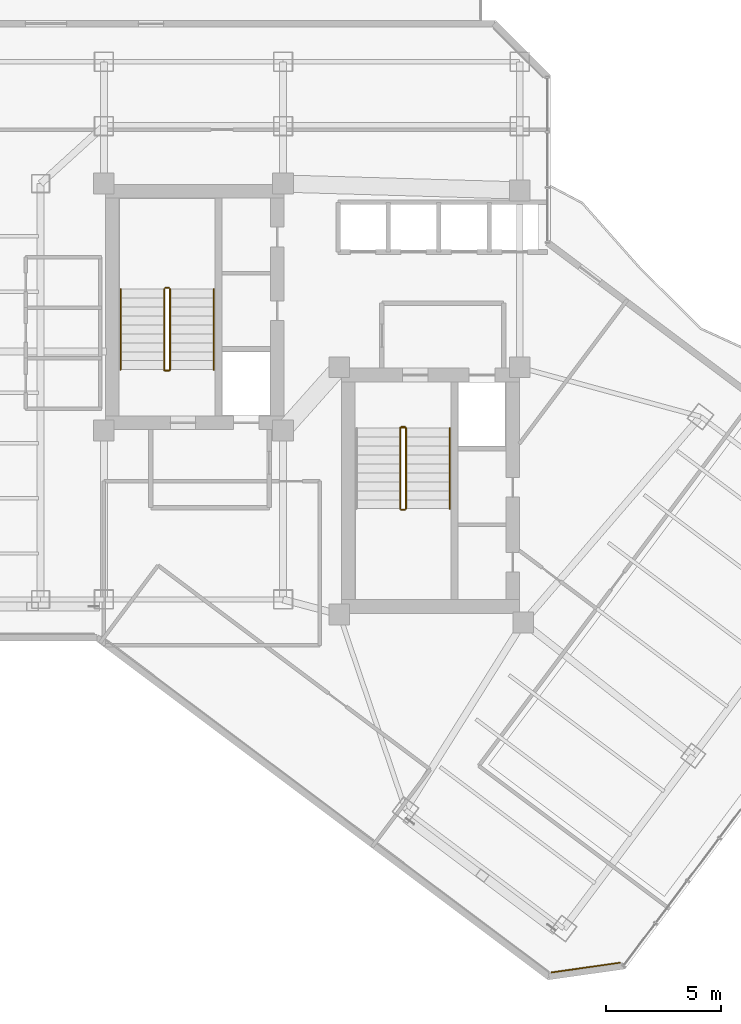
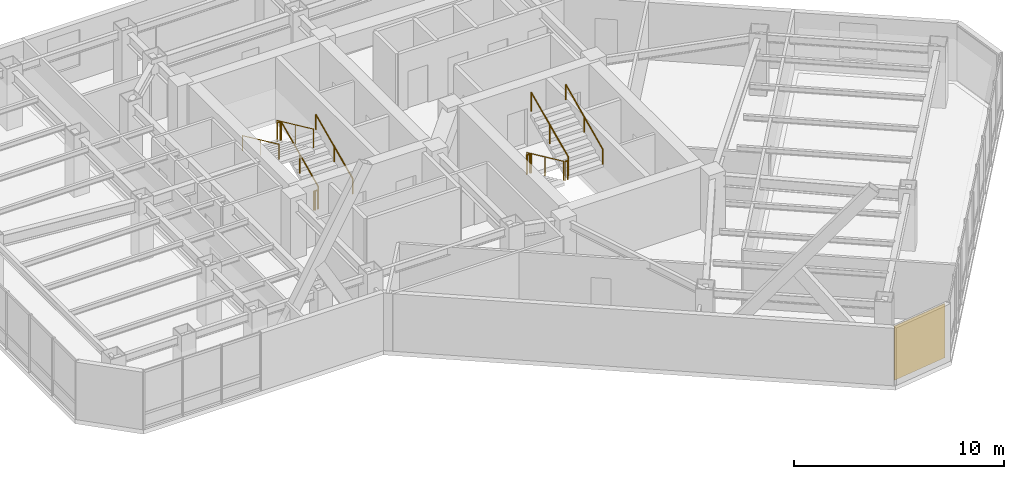
# One storey, part 25 of 26: 13 railings, 1 covering.
"""IFC4 building model written with IfcOpenShell, lengths in metres."""

from ifc_helpers import new_model, si_unit, direction, frame, origin, origin_2d, place, context, subcontext, project, spatial, rectangle, circle, extrude, material, layer, layer_set, type_object, element, save


model = new_model("IFC4")

# Units and contexts
model_context = context("Model", 3, precision=1e-05, world=origin(), true_north=direction((0.0, 1.0)))
body_context = subcontext(model_context, "Body", "Model", "MODEL_VIEW")
ifc_project = project(units=[si_unit("LENGTHUNIT", "METRE"), si_unit("AREAUNIT", "SQUARE_METRE"), si_unit("VOLUMEUNIT", "CUBIC_METRE"), si_unit("PLANEANGLEUNIT", "RADIAN"), si_unit("MASSUNIT", "GRAM", prefix="KILO")], contexts=[model_context])

# Site, building, storey
site_placement = place(None, origin())
site = spatial("IfcSite", under=ifc_project, at=site_placement, CompositionType="ELEMENT")
building_placement = place(site_placement, origin())
building = spatial("IfcBuilding", under=site, at=building_placement, Name="Hatsunagi Terrace Concourse", CompositionType="ELEMENT")
storey_placement = place(building_placement, frame((0.0, 0.0, 134.85009765625)))
storey = spatial("IfcBuildingStorey", under=building, at=storey_placement, Name="L35", CompositionType="ELEMENT", Elevation=134.85009765625)

# Railings
ifc_material_1 = material(Name="Stainless steel", Category="steel")
ifc_layer_1 = layer(ifc_material_1, 0.044921875)
ifc_layer_set_1 = layer_set([ifc_layer_1], Name="StairPitchHandrail_Tower2000")
railing_type_1 = type_object("IfcRailingType", Name="StairPitchHandrail_Tower2000", PredefinedType="HANDRAIL", material=ifc_layer_set_1)
railing_1_placement = place(storey_placement, frame((30.330078125, 35.199951171875, 0.179931640625)))
element("IfcRailing", 1, at=railing_1_placement, inside=storey, type_object=railing_type_1, Name="L35 ST-A stair handrail 1", PredefinedType="HANDRAIL", context=body_context, shape_type="SweptSolid", body=[
    extrude(circle(Radius=0.02392578125, at=origin_2d()), frame((0.0, 0.0, 0.8759765625), z_axis=(0.0, 0.907972323039, 0.419030142823), x_axis=(-1.0, 0.0, 0.0)), (0.0, 0.0, 1.0), 3.86572265625),
    extrude(circle(Radius=0.02099609375, at=origin_2d()), origin(), (0.0, 0.0, 1.0), 0.851806640625),
    extrude(circle(Radius=0.02099609375, at=origin_2d()), frame((0.0, 1.7548828125, 0.81005859375)), (0.0, 0.0, 1.0), 0.851806640625),
    extrude(circle(Radius=0.02099609375, at=origin_2d()), frame((0.0, 3.510009765625, 1.619873046875)), (0.0, 0.0, 1.0), 0.851806640625),
])
railing_2_placement = place(storey_placement, frame((26.280029296875, 38.7099609375, 1.97998046875)))
element("IfcRailing", 2, at=railing_2_placement, inside=storey, type_object=railing_type_1, Name="L35 ST-A stair handrail 2", PredefinedType="HANDRAIL", context=body_context, shape_type="SweptSolid", body=[
    extrude(circle(Radius=0.02392578125, at=origin_2d()), frame((0.0, 0.0, 0.8759765625), z_axis=(0.0, -0.907972323039, 0.419030142823), x_axis=(1.0, 0.0, 0.0)), (0.0, 0.0, 1.0), 3.86572265625),
    extrude(circle(Radius=0.02099609375, at=origin_2d()), origin(), (0.0, 0.0, 1.0), 0.851806640625),
    extrude(circle(Radius=0.02099609375, at=origin_2d()), frame((0.0, -1.7548828125, 0.81005859375)), (0.0, 0.0, 1.0), 0.851806640625),
    extrude(circle(Radius=0.02099609375, at=origin_2d()), frame((0.0, -3.510009765625, 1.619873046875)), (0.0, 0.0, 1.0), 0.851806640625),
])
railing_3_placement = place(storey_placement, frame((40.60009765625, 29.14990234375, 1.97998046875)))
element("IfcRailing", 3, at=railing_3_placement, inside=storey, type_object=railing_type_1, Name="L35 ST-B stair handrail 2", PredefinedType="HANDRAIL", context=body_context, shape_type="SweptSolid", body=[
    extrude(circle(Radius=0.02392578125, at=origin_2d()), frame((0.0, 0.0, 0.8759765625), z_axis=(0.0, 0.907972323039, 0.419030142823), x_axis=(-1.0, 0.0, 0.0)), (0.0, 0.0, 1.0), 3.86572265625),
    extrude(circle(Radius=0.02099609375, at=origin_2d()), origin(), (0.0, 0.0, 1.0), 0.851806640625),
    extrude(circle(Radius=0.02099609375, at=origin_2d()), frame((0.0, 1.7548828125, 0.81005859375)), (0.0, 0.0, 1.0), 0.851806640625),
    extrude(circle(Radius=0.02099609375, at=origin_2d()), frame((0.0, 3.510009765625, 1.619873046875)), (0.0, 0.0, 1.0), 0.851806640625),
])
ifc_material_2 = material(Name="Stainless steel", Category="steel")
ifc_layer_2 = layer(ifc_material_2, 0.06005859375)
ifc_layer_set_2 = layer_set([ifc_layer_2], Name="StairWellGuard_Tower2000")
railing_type_2 = type_object("IfcRailingType", Name="StairWellGuard_Tower2000", PredefinedType="BALUSTRADE", material=ifc_layer_set_2)
railing_4_placement = place(storey_placement, frame((28.429931640625, 35.199951171875, 0.179931640625)))
element("IfcRailing", 4, at=railing_4_placement, inside=storey, type_object=railing_type_2, Name="L35 ST-A stair guard 1", PredefinedType="BALUSTRADE", context=body_context, shape_type="SweptSolid", body=[
    extrude(circle(Radius=0.02392578125, at=origin_2d()), frame((0.0, 0.0, 1.09619140625), z_axis=(0.0, 0.907972323039, 0.419030142823), x_axis=(-1.0, 0.0, 0.0)), (0.0, 0.0, 1.0), 3.86572265625),
    extrude(circle(Radius=0.02099609375, at=origin_2d()), origin(), (0.0, 0.0, 1.0), 1.072021484375),
    extrude(circle(Radius=0.02099609375, at=origin_2d()), frame((0.0, 1.7548828125, 0.81005859375)), (0.0, 0.0, 1.0), 1.072021484375),
    extrude(circle(Radius=0.02099609375, at=origin_2d()), frame((0.0, 3.510009765625, 1.619873046875)), (0.0, 0.0, 1.0), 1.072021484375),
])
railing_5_placement = place(storey_placement, frame((28.3798828125, 38.760009765625, 1.7998046875)))
element("IfcRailing", 5, at=railing_5_placement, inside=storey, type_object=railing_type_2, Name="L35 ST-A stair guard 2", PredefinedType="BALUSTRADE", context=body_context, shape_type="SweptSolid", body=[
    extrude(circle(Radius=0.02392578125, at=origin_2d()), frame((0.0, 0.0, 1.09619140625), z_axis=(-1.0, 0.0, 0.0), x_axis=(0.0, -1.0, 0.0)), (0.0, 0.0, 1.0), 0.14990234375),
    extrude(circle(Radius=0.02099609375, at=origin_2d()), origin(), (0.0, 0.0, 1.0), 1.072021484375),
    extrude(circle(Radius=0.02099609375, at=origin_2d()), frame((-0.14990234375, 0.0, 0.0)), (0.0, 0.0, 1.0), 1.072021484375),
])
railing_6_placement = place(storey_placement, frame((28.179931640625, 38.7099609375, 1.97998046875)))
element("IfcRailing", 6, at=railing_6_placement, inside=storey, type_object=railing_type_2, Name="L35 ST-A stair guard 3", PredefinedType="BALUSTRADE", context=body_context, shape_type="SweptSolid", body=[
    extrude(circle(Radius=0.02392578125, at=origin_2d()), frame((0.0, 0.0, 1.09619140625), z_axis=(0.0, -0.907972323039, 0.419030142823), x_axis=(1.0, 0.0, 0.0)), (0.0, 0.0, 1.0), 3.86572265625),
    extrude(circle(Radius=0.02099609375, at=origin_2d()), origin(), (0.0, 0.0, 1.0), 1.072021484375),
    extrude(circle(Radius=0.02099609375, at=origin_2d()), frame((0.0, -1.7548828125, 0.81005859375)), (0.0, 0.0, 1.0), 1.072021484375),
    extrude(circle(Radius=0.02099609375, at=origin_2d()), frame((0.0, -3.510009765625, 1.619873046875)), (0.0, 0.0, 1.0), 1.072021484375),
])
railing_7_placement = place(storey_placement, frame((28.3798828125, 35.14990234375, 0.0)))
element("IfcRailing", 7, at=railing_7_placement, inside=storey, type_object=railing_type_2, Name="L35 ST-A stair guard 4", PredefinedType="BALUSTRADE", context=body_context, shape_type="SweptSolid", body=[
    extrude(circle(Radius=0.02392578125, at=origin_2d()), frame((0.0, 0.0, 1.09619140625), z_axis=(-1.0, 0.0, 0.0), x_axis=(0.0, -1.0, 0.0)), (0.0, 0.0, 1.0), 0.14990234375),
    extrude(circle(Radius=0.02099609375, at=origin_2d()), origin(), (0.0, 0.0, 1.0), 1.072021484375),
    extrude(circle(Radius=0.02099609375, at=origin_2d()), frame((-0.14990234375, 0.0, 0.0)), (0.0, 0.0, 1.0), 1.072021484375),
])
railing_8_placement = place(storey_placement, frame((38.449951171875, 32.659912109375, 0.179931640625)))
element("IfcRailing", 8, at=railing_8_placement, inside=storey, type_object=railing_type_2, Name="L35 ST-B stair guard 1", PredefinedType="BALUSTRADE", context=body_context, shape_type="SweptSolid", body=[
    extrude(circle(Radius=0.02392578125, at=origin_2d()), frame((0.0, 0.0, 1.09619140625), z_axis=(0.0, -0.907972323039, 0.419030142823), x_axis=(1.0, 0.0, 0.0)), (0.0, 0.0, 1.0), 3.86572265625),
    extrude(circle(Radius=0.02099609375, at=origin_2d()), origin(), (0.0, 0.0, 1.0), 1.072021484375),
    extrude(circle(Radius=0.02099609375, at=origin_2d()), frame((0.0, -1.7548828125, 0.81005859375)), (0.0, 0.0, 1.0), 1.072021484375),
    extrude(circle(Radius=0.02099609375, at=origin_2d()), frame((0.0, -3.510009765625, 1.619873046875)), (0.0, 0.0, 1.0), 1.072021484375),
])
railing_9_placement = place(storey_placement, frame((38.5, 29.10009765625, 1.7998046875)))
element("IfcRailing", 9, at=railing_9_placement, inside=storey, type_object=railing_type_2, Name="L35 ST-B stair guard 2", PredefinedType="BALUSTRADE", context=body_context, shape_type="SweptSolid", body=[
    extrude(circle(Radius=0.02392578125, at=origin_2d()), frame((0.0, 0.0, 1.09619140625), z_axis=(1.0, 0.0, 0.0), x_axis=(0.0, 1.0, 0.0)), (0.0, 0.0, 1.0), 0.14990234375),
    extrude(circle(Radius=0.02099609375, at=origin_2d()), origin(), (0.0, 0.0, 1.0), 1.072021484375),
    extrude(circle(Radius=0.02099609375, at=origin_2d()), frame((0.14990234375, 0.0, 0.0)), (0.0, 0.0, 1.0), 1.072021484375),
])
railing_10_placement = place(storey_placement, frame((38.699951171875, 29.14990234375, 1.97998046875)))
element("IfcRailing", 10, at=railing_10_placement, inside=storey, type_object=railing_type_2, Name="L35 ST-B stair guard 3", PredefinedType="BALUSTRADE", context=body_context, shape_type="SweptSolid", body=[
    extrude(circle(Radius=0.02392578125, at=origin_2d()), frame((0.0, 0.0, 1.09619140625), z_axis=(0.0, 0.907972323039, 0.419030142823), x_axis=(-1.0, 0.0, 0.0)), (0.0, 0.0, 1.0), 3.86572265625),
    extrude(circle(Radius=0.02099609375, at=origin_2d()), origin(), (0.0, 0.0, 1.0), 1.072021484375),
    extrude(circle(Radius=0.02099609375, at=origin_2d()), frame((0.0, 1.7548828125, 0.81005859375)), (0.0, 0.0, 1.0), 1.072021484375),
    extrude(circle(Radius=0.02099609375, at=origin_2d()), frame((0.0, 3.510009765625, 1.619873046875)), (0.0, 0.0, 1.0), 1.072021484375),
])
railing_11_placement = place(storey_placement, frame((38.5, 32.7099609375, 0.0)))
element("IfcRailing", 11, at=railing_11_placement, inside=storey, type_object=railing_type_2, Name="L35 ST-B stair guard 4", PredefinedType="BALUSTRADE", context=body_context, shape_type="SweptSolid", body=[
    extrude(circle(Radius=0.02392578125, at=origin_2d()), frame((0.0, 0.0, 1.09619140625), z_axis=(1.0, 0.0, 0.0), x_axis=(0.0, 1.0, 0.0)), (0.0, 0.0, 1.0), 0.14990234375),
    extrude(circle(Radius=0.02099609375, at=origin_2d()), origin(), (0.0, 0.0, 1.0), 1.072021484375),
    extrude(circle(Radius=0.02099609375, at=origin_2d()), frame((0.14990234375, 0.0, 0.0)), (0.0, 0.0, 1.0), 1.072021484375),
])
ifc_material_3 = material(Name="Stainless Steel SUS316 Post-and-Rail Guard", Category="steel")
ifc_layer_3 = layer(ifc_material_3, 0.080078125)
ifc_layer_set_3 = layer_set([ifc_layer_3], Name="TerracePlantedGuardRail_1200")
railing_type_3 = type_object("IfcRailingType", Name="TerracePlantedGuardRail_1200", PredefinedType="GUARDRAIL", material=ifc_layer_set_3)
for number, where, name in (
    (12, (28.179931640625, 35.179931640625, 0.0), "Stair ST-A Well Closure Guard L35"),
    (13, (38.449951171875, 32.679931640625, 0.0), "Stair ST-B Well Closure Guard L35"),
):
    element("IfcRailing", number, at=place(storey_placement, frame(where)), inside=storey, type_object=railing_type_3, Name=name, PredefinedType="GUARDRAIL", context=body_context, shape_type="SweptSolid", body=[
        extrude(circle(Radius=0.02392578125, at=origin_2d()), frame((0.0, 0.0, 1.09619140625), z_axis=(1.0, 0.0, 0.0), x_axis=(0.0, 1.0, 0.0)), (0.0, 0.0, 1.0), 0.25),
        extrude(circle(Radius=0.02099609375, at=origin_2d()), origin(), (0.0, 0.0, 1.0), 1.072021484375),
        extrude(circle(Radius=0.02099609375, at=origin_2d()), frame((0.25, 0.0, 0.0)), (0.0, 0.0, 1.0), 1.072021484375),
    ])

# Covering
ifc_material_4 = material(Name="Unglazed Warm Terracotta Rainscreen Tile", Category="masonry")
ifc_layer_4 = layer(ifc_material_4, 0.044921875)
ifc_layer_set_4 = layer_set([ifc_layer_4], Name="TerracottaRainscreenCladding_45")
covering_type = type_object("IfcCoveringType", Name="TerracottaRainscreenCladding_45", PredefinedType="CLADDING", material=ifc_layer_set_4)
covering_placement = place(storey_placement, frame((46.51806640625, 9.178955078125, 0.099853515625), z_axis=(0.0, 0.0, 1.0), x_axis=(-0.989973920543, -0.141250262458, 0.0)))
element("IfcCovering", 14, at=covering_placement, inside=storey, type_object=covering_type, Name="Terracotta Rainscreen Cladding L35-04", PredefinedType="CLADDING", context=body_context, shape_type="SweptSolid", body=[
    extrude(rectangle(XDim=3.0380859375, YDim=0.044921875, at=origin_2d()), origin(), (0.0, 0.0, 1.0), 3.14990234375),
])

save(model, "model.ifc")
